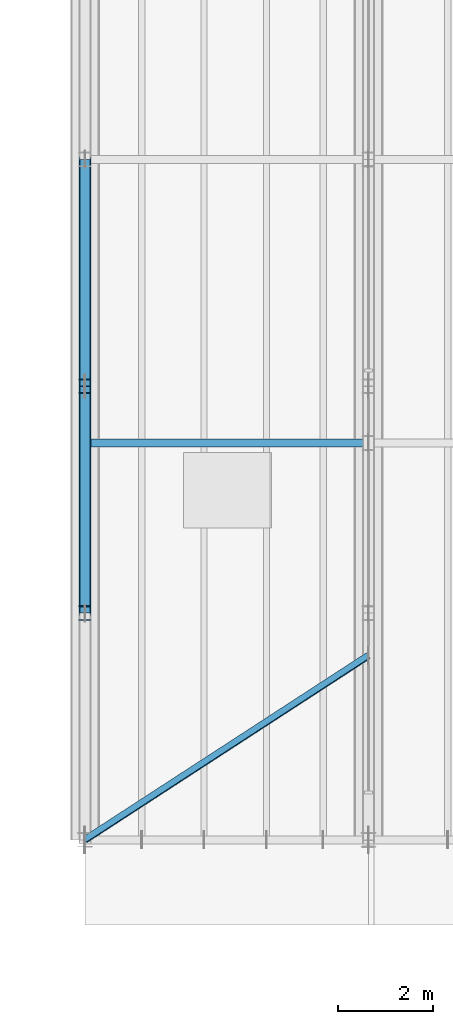
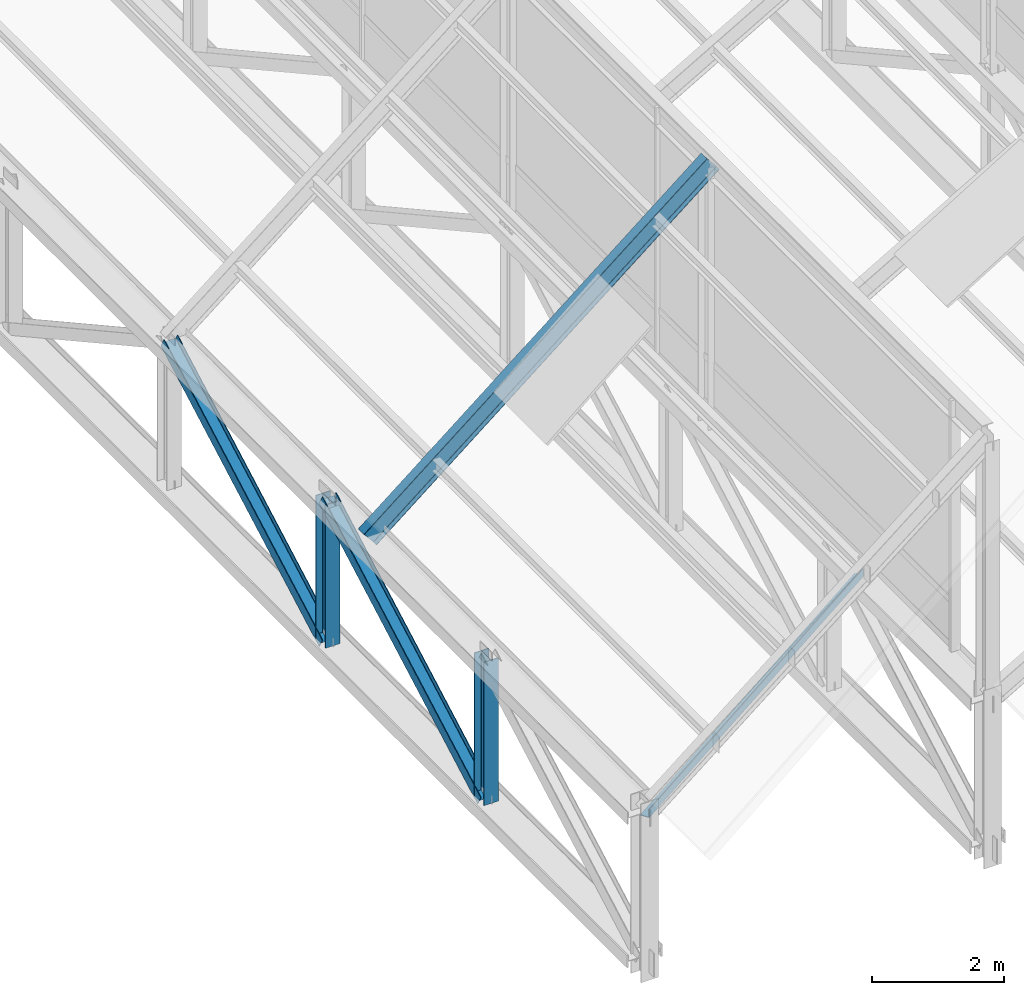
# One storey, part 14 of 101: 5 members, 1 beam.
"""IFC4 building model written with IfcOpenShell, lengths in metres."""

import ifcopenshell
import ifcopenshell.guid

model = None  # the IFC model being written
_history = None  # IfcOwnerHistory: only IFC2X3 demands one
_inside = {}  # id of a spatial element -> (the spatial element, [elements in it])
_under = {}  # id of a project, library or spatial element -> (it, [spatial elements below it])
_declared = {}  # id of a project -> (the project, [libraries it declares])
_typed = {}  # id of a type object -> (the type object, [elements of that type])
_made_of = {}  # id of a material, layer set ... -> (it, [elements and type objects made of it])


def new_model(schema):
    """Start an empty IFC model of exactly this schema.

    Asked for "IFC4X3", IfcOpenShell would pick the latest addendum, in which some entities
    have other attributes; the version numbers below select the first issue.
    IFC2X3 requires an IfcOwnerHistory on every rooted entity: one is made here for all.
    """
    global model, _history
    if schema == "IFC4X3":
        model = ifcopenshell.file(schema_version=(4, 3, 0, 0))
    else:
        model = ifcopenshell.file(schema=schema)
    _inside.clear()
    _under.clear()
    _declared.clear()
    _typed.clear()
    _made_of.clear()
    _history = None
    if model.schema == "IFC2X3":
        org = make("IfcOrganization", Name="unknown")
        user = make(
            "IfcPersonAndOrganization",
            ThePerson=make("IfcPerson", FamilyName="unknown"),
            TheOrganization=org,
        )
        app = make(
            "IfcApplication",
            ApplicationDeveloper=org,
            Version="unknown",
            ApplicationFullName="unknown",
            ApplicationIdentifier="unknown",
        )
        _history = make(
            "IfcOwnerHistory",
            OwningUser=user,
            OwningApplication=app,
            ChangeAction="ADDED",
            CreationDate=0,
        )
    return model


def make(cls, **values):
    """One entity of the class cls with the attributes given. An attribute that is None is left unset."""
    return model.create_entity(
        cls, **{name: value for name, value in values.items() if value is not None}
    )


def rooted(cls, **values):
    """An entity with a GlobalId (a new one), such as an element, a storey or a relation."""
    return make(cls, GlobalId=ifcopenshell.guid.new(), OwnerHistory=_history, **values)


def si_unit(unit_type, name, prefix=None):
    """IfcSIUnit, for example si_unit("LENGTHUNIT", "METRE", prefix="MILLI")."""
    return make("IfcSIUnit", UnitType=unit_type, Prefix=prefix, Name=name)


def assignment(units):
    """IfcUnitAssignment: the units of a project."""
    return None if units is None else make("IfcUnitAssignment", Units=units)


def point(xyz):
    """IfcCartesianPoint."""
    return None if xyz is None else make("IfcCartesianPoint", Coordinates=xyz)


def direction(xyz):
    """IfcDirection."""
    return None if xyz is None else make("IfcDirection", DirectionRatios=xyz)


def frame(location, z_axis=None, x_axis=None):
    """IfcAxis2Placement3D, a coordinate frame: its origin and axes. An axis left out is left unset."""
    return make(
        "IfcAxis2Placement3D",
        Location=point(location),
        Axis=direction(z_axis),
        RefDirection=direction(x_axis),
    )


def frame_2d(location, x_axis=None):
    """IfcAxis2Placement2D, a coordinate frame in the plane: its origin and x axis."""
    return make(
        "IfcAxis2Placement2D", Location=point(location), RefDirection=direction(x_axis)
    )


def origin():
    """The frame at (0, 0, 0) with its axes left unset."""
    return frame((0.0, 0.0, 0.0))


def origin_2d():
    """The frame at (0, 0) in the plane with its x axis left unset."""
    return frame_2d((0.0, 0.0))


def place(relative_to, where):
    """IfcLocalPlacement: puts the frame where relative to a parent placement (None: the world)."""
    return make(
        "IfcLocalPlacement", PlacementRelTo=relative_to, RelativePlacement=where
    )


def context(
    kind, dimensions, precision=None, world=None, true_north=None, identifier=None
):
    """IfcGeometricRepresentationContext, for example the 3D "Model" context."""
    return make(
        "IfcGeometricRepresentationContext",
        ContextIdentifier=identifier,
        ContextType=kind,
        CoordinateSpaceDimension=dimensions,
        Precision=precision,
        WorldCoordinateSystem=world,
        TrueNorth=true_north,
    )


def subcontext(parent, identifier, kind, view, scale=None):
    """IfcGeometricRepresentationSubContext, for example "Body" below "Model"."""
    return make(
        "IfcGeometricRepresentationSubContext",
        ContextIdentifier=identifier,
        ContextType=kind,
        ParentContext=parent,
        TargetScale=scale,
        TargetView=view,
    )


def project(units=None, contexts=None):
    """IfcProject with its units and contexts."""
    return rooted(
        "IfcProject",
        Name="project",
        RepresentationContexts=contexts,
        UnitsInContext=assignment(units),
    )


def spatial(cls, under=None, at=None, **own):
    """A site, building, storey or space (cls), placed at a placement, below another one or the project."""
    s = rooted(cls, ObjectPlacement=at, **own)
    if under is not None:
        _under.setdefault(under.id(), (under, []))[1].append(s)
    return s


def profile(cls, at=None, kind="AREA", **sizes):
    """A parametric profile (cls). Its sizes go by their IFC names, for example OverallWidth=200.0."""
    return make(cls, ProfileType=kind, Position=at, **sizes)


def i_section(**sizes):
    """IfcIShapeProfileDef."""
    return profile("IfcIShapeProfileDef", **sizes)


def l_section(**sizes):
    """IfcLShapeProfileDef."""
    return profile("IfcLShapeProfileDef", **sizes)


def extrude(swept, where, along, depth):
    """IfcExtrudedAreaSolid: the profile swept, set in the frame where, extruded along a direction by depth."""
    return make(
        "IfcExtrudedAreaSolid",
        SweptArea=swept,
        Position=where,
        ExtrudedDirection=direction(along),
        Depth=depth,
    )


def shape(context_of_items, identifier, shape_type, items):
    """IfcShapeRepresentation: the items that make up one representation, for example the "Body"."""
    return make(
        "IfcShapeRepresentation",
        ContextOfItems=context_of_items,
        RepresentationIdentifier=identifier,
        RepresentationType=shape_type,
        Items=items,
    )


def material(Name=None, Category=None):
    """IfcMaterial."""
    return make("IfcMaterial", Name=Name, Category=Category)


def material_profile(
    of_material, cross_section, Name=None, Category=None, Priority=None
):
    """IfcMaterialProfile: a cross section and its material."""
    return make(
        "IfcMaterialProfile",
        Name=Name,
        Material=of_material,
        Profile=cross_section,
        Priority=Priority,
        Category=Category,
    )


def profile_set(profiles, Name=None, composite=None):
    """IfcMaterialProfileSet."""
    return make(
        "IfcMaterialProfileSet",
        Name=Name,
        MaterialProfiles=profiles,
        CompositeProfile=composite,
    )


def made_of(thing, what):
    """Note that an element or type object is made of a material, layer set ...; save() writes the relation."""
    if what is not None:
        _made_of.setdefault(what.id(), (what, []))[1].append(thing)
    return thing


def type_object(cls, material=None, **own):
    """A type object (cls), such as IfcWallType, which elements share."""
    return made_of(rooted(cls, **own), material)


def element(
    cls,
    number,
    at=None,
    inside=None,
    cuts=None,
    type_object=None,
    material=None,
    context=None,
    identifier="Body",
    shape_type=None,
    held_by="IfcProductDefinitionShape",
    body=None,
    shapes=None,
    **own,
):
    """One element of the class cls, such as IfcWall. Its Tag is "e" and its number.

    at: its placement. inside: the storey or other place that contains it. cuts: it is an
    opening in that element (IfcRelVoidsElement). A single representation is given by context,
    identifier, shape_type and body (its items); several are given by shapes. held_by: the class
    of the entity that holds the representations. save() writes the other relations.
    """
    e = rooted(cls, Tag="e%d" % number, ObjectPlacement=at, **own)
    if body is not None:
        shapes = [shape(context, identifier, shape_type, body)]
    if shapes is not None:
        e.Representation = make(held_by, Representations=shapes)
    if inside is not None:
        _inside.setdefault(inside.id(), (inside, []))[1].append(e)
    if cuts is not None:
        rooted(
            "IfcRelVoidsElement", RelatingBuildingElement=cuts, RelatedOpeningElement=e
        )
    if type_object is not None:
        _typed.setdefault(type_object.id(), (type_object, []))[1].append(e)
    return made_of(e, material)


def aggregate(whole, parts):
    """IfcRelAggregates: a whole, such as a stair, and the parts it consists of."""
    return rooted("IfcRelAggregates", RelatingObject=whole, RelatedObjects=parts)


def save(model, path):
    """Write the relations noted so far, then the file.

    IfcRelAggregates (storeys below a building ...), IfcRelContainedInSpatialStructure (elements
    in a storey), IfcRelDefinesByType, IfcRelAssociatesMaterial and IfcRelDeclares: one each for
    every whole, place, type object, material and project.
    """
    for whole, parts in _under.values():
        aggregate(whole, parts)
    for where, things in _inside.values():
        rooted(
            "IfcRelContainedInSpatialStructure",
            RelatedElements=things,
            RelatingStructure=where,
        )
    for kind, things in _typed.values():
        rooted("IfcRelDefinesByType", RelatedObjects=things, RelatingType=kind)
    for what, things in _made_of.values():
        rooted("IfcRelAssociatesMaterial", RelatedObjects=things, RelatingMaterial=what)
    for by, libraries in _declared.values():
        rooted("IfcRelDeclares", RelatingContext=by, RelatedDefinitions=libraries)
    model.write(path)


model = new_model("IFC4")

# Units and contexts
model_context = context("Model", 3, precision=1e-05, world=origin(), true_north=direction((0.0, 1.0)))
body_context = subcontext(model_context, "Body", "Model", "MODEL_VIEW")
ifc_project = project(units=[si_unit("LENGTHUNIT", "METRE"), si_unit("AREAUNIT", "SQUARE_METRE"), si_unit("VOLUMEUNIT", "CUBIC_METRE"), si_unit("PLANEANGLEUNIT", "RADIAN"), si_unit("MASSUNIT", "GRAM", prefix="KILO"), si_unit("THERMODYNAMICTEMPERATUREUNIT", "KELVIN")], contexts=[model_context])

# Site, building, storey
site_placement = place(None, origin())
site = spatial("IfcSite", under=ifc_project, at=site_placement, CompositionType="ELEMENT")
building_placement = place(site_placement, origin())
building = spatial("IfcBuilding", under=site, at=building_placement, Name="Thalorik Housing Commons", CompositionType="ELEMENT")
storey_placement = place(building_placement, frame((0.0, 0.0, 8.10009765625)))
storey = spatial("IfcBuildingStorey", under=building, at=storey_placement, Name="L02", CompositionType="ELEMENT", Elevation=8.10009765625)

# Beam
ifc_material = material(Name="Steel S355", Category="steel")
ifc_material_profile_1 = material_profile(ifc_material, i_section(OverallWidth=0.1708984375, OverallDepth=0.35498046875, WebThickness=0.007080078125, FlangeThickness=0.01171875, FilletRadius=0.010009765625, at=origin_2d()), Name="W360x51", Category="steel")
ifc_profile_set_1 = profile_set([ifc_material_profile_1], Name="Steel S355")
beam_type = type_object("IfcBeamType", Name="STR-BM-W360x51", PredefinedType="BEAM", material=ifc_profile_set_1)
beam_placement = place(storey_placement, frame((66.0, 66.0, 3.0), z_axis=(0.777706721002, 0.0, 0.628627279163), x_axis=(0.0, 1.0, 0.0)))
element("IfcBeam", 1, at=beam_placement, inside=storey, type_object=beam_type, Name="L02 Sawtooth Bay 1 Rafter 2", PredefinedType="BEAM", context=body_context, shape_type="SweptSolid", body=[
    extrude(i_section(OverallWidth=0.1708984375, OverallDepth=0.35498046875, WebThickness=0.007080078125, FlangeThickness=0.01171875, FilletRadius=0.010009765625, at=origin_2d()), origin(), (0.0, 0.0, 1.0), 7.715087890625),
])

# Members
ifc_material_profile_2 = material_profile(ifc_material, i_section(OverallWidth=0.201904296875, OverallDepth=0.2470703125, WebThickness=0.00732421875, FlangeThickness=0.010986328125, FilletRadius=0.010009765625, at=origin_2d()), Name="W250x49", Category="steel")
ifc_profile_set_2 = profile_set([ifc_material_profile_2], Name="Steel S355")
member_type_1 = type_object("IfcMemberType", Name="STR-MEM-DIAG-250", PredefinedType="BRACE", material=ifc_profile_set_2)
for number, where, z_axis, x_axis, name in (
    (2, (66.0, 62.39990234375, 0.349853515625), (0.0, 0.875435421067, 0.48333510481), (0.0, -0.48333510481, 0.875435421067), "L02 Sawtooth Truss 1 Web Diagonal 2"),
    (3, (66.0, 67.199951171875, 0.349853515625), (0.0, 0.875435421067, 0.48333510481), (0.0, -0.48333510481, 0.875435421067), "L02 Sawtooth Truss 1 Web Diagonal 3"),
):
    element("IfcMember", number, at=place(storey_placement, frame(where, z_axis=z_axis, x_axis=x_axis)), inside=storey, type_object=member_type_1, Name=name, PredefinedType="BRACE", context=body_context, shape_type="SweptSolid", body=[
        extrude(i_section(OverallWidth=0.201904296875, OverallDepth=0.2470703125, WebThickness=0.00732421875, FlangeThickness=0.010986328125, FilletRadius=0.010009765625, at=origin_2d()), origin(), (0.0, 0.0, 1.0), 5.483154296875),
    ])
ifc_material_profile_3 = material_profile(ifc_material, i_section(OverallWidth=0.25390625, OverallDepth=0.305908203125, WebThickness=0.0087890625, FlangeThickness=0.0146484375, FilletRadius=0.010009765625, at=origin_2d()), Name="W310x79", Category="steel")
ifc_profile_set_3 = profile_set([ifc_material_profile_3], Name="Steel S355")
member_type_2 = type_object("IfcMemberType", Name="STR-MEM-POST-310", PredefinedType="POST", material=ifc_profile_set_3)
for number, where, z_axis, x_axis, name in (
    (4, (66.0, 62.39990234375, 0.349853515625), (0.0, 0.0, 1.0), (1.0, 0.0, 0.0), "L02 Sawtooth Truss 1 Vertical 1"),
    (5, (66.0, 67.199951171875, 0.349853515625), (0.0, 0.0, 1.0), (1.0, 0.0, 0.0), "L02 Sawtooth Truss 1 Vertical 2"),
):
    element("IfcMember", number, at=place(storey_placement, frame(where, z_axis=z_axis, x_axis=x_axis)), inside=storey, type_object=member_type_2, Name=name, PredefinedType="POST", context=body_context, shape_type="SweptSolid", body=[
        extrude(i_section(OverallWidth=0.25390625, OverallDepth=0.305908203125, WebThickness=0.0087890625, FlangeThickness=0.0146484375, FilletRadius=0.010009765625, at=origin_2d()), origin(), (0.0, 0.0, 1.0), 2.650146484375),
    ])
ifc_material_profile_4 = material_profile(ifc_material, l_section(Depth=0.14990234375, Width=0.14990234375, Thickness=0.013916015625, FilletRadius=0.010009765625, at=origin_2d()), Name="L150x150x14", Category="steel")
ifc_profile_set_4 = profile_set([ifc_material_profile_4], Name="Steel S355")
member_type_3 = type_object("IfcMemberType", Name="STR-MEM-TIE-L150", PredefinedType="BRACE", material=ifc_profile_set_4)
member_placement = place(storey_placement, frame((66.0, 57.60009765625, 3.0), z_axis=(0.838449851971, 0.544978757136, 0.0), x_axis=(-0.544978757136, 0.838449851971, 0.0)))
element("IfcMember", 6, at=member_placement, inside=storey, type_object=member_type_3, Name="L02 Sawtooth Bay 1 Wind Brace S", PredefinedType="BRACE", context=body_context, shape_type="SweptSolid", body=[
    extrude(l_section(Depth=0.14990234375, Width=0.14990234375, Thickness=0.013916015625, FilletRadius=0.010009765625, at=origin_2d()), origin(), (0.0, 0.0, 1.0), 7.156005859375),
])

save(model, "model.ifc")
